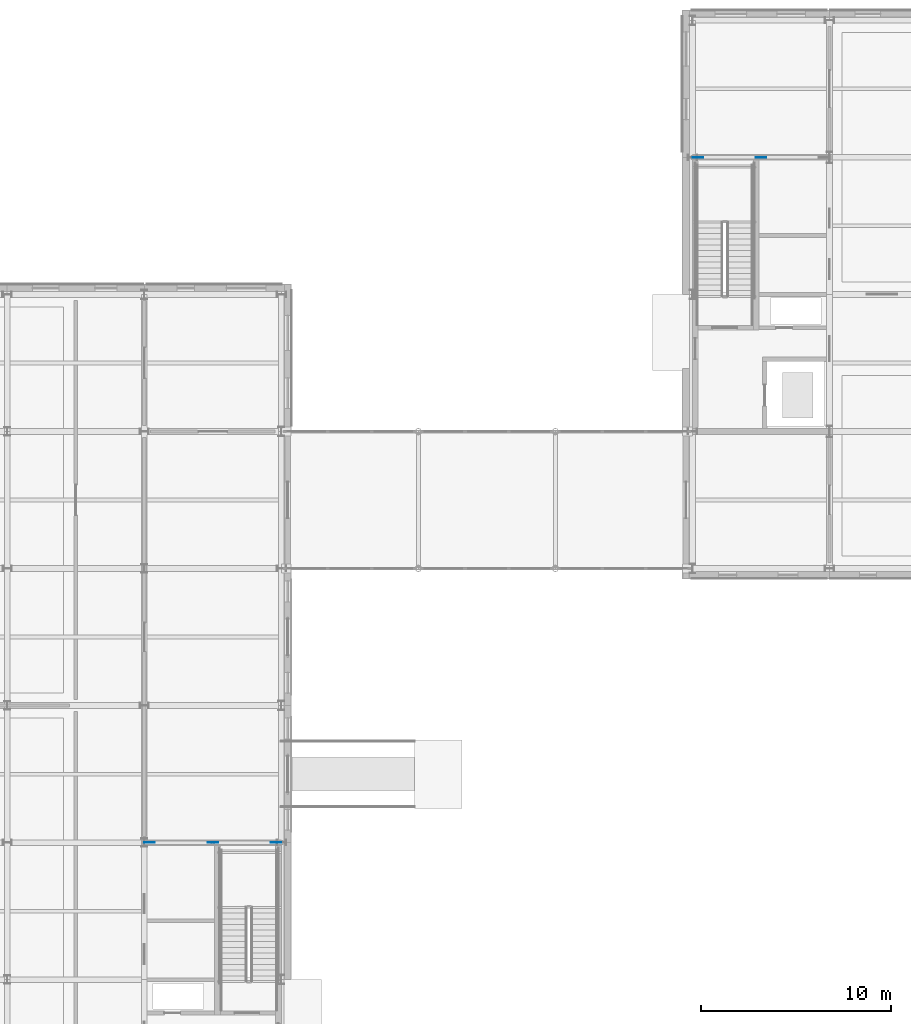
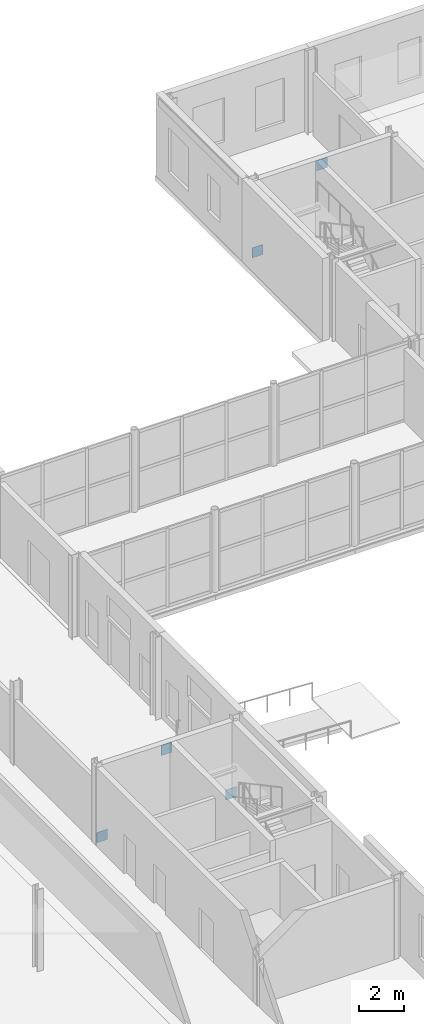
# One storey, part 50 of 92: 5 plates.
"""IFC4 building model written with IfcOpenShell, lengths in metres."""

from ifc_helpers import new_model, si_unit, direction, frame, origin, origin_2d, place, context, subcontext, project, spatial, rectangle, extrude, material, layer, layer_set, type_object, element, save


model = new_model("IFC4")

# Units and contexts
model_context = context("Model", 3, precision=1e-05, world=origin(), true_north=direction((0.0, 1.0)))
body_context = subcontext(model_context, "Body", "Model", "MODEL_VIEW")
ifc_project = project(units=[si_unit("LENGTHUNIT", "METRE"), si_unit("AREAUNIT", "SQUARE_METRE"), si_unit("VOLUMEUNIT", "CUBIC_METRE"), si_unit("PLANEANGLEUNIT", "RADIAN"), si_unit("MASSUNIT", "GRAM", prefix="KILO")], contexts=[model_context])

# Site, building, storey
site_placement = place(None, origin())
site = spatial("IfcSite", under=ifc_project, at=site_placement, CompositionType="ELEMENT")
building_placement = place(site_placement, origin())
building = spatial("IfcBuilding", under=site, at=building_placement, Name="Zlatovets Crest Museum", CompositionType="ELEMENT")
storey_placement = place(building_placement, origin())
storey = spatial("IfcBuildingStorey", under=building, at=storey_placement, Name="L00", CompositionType="ELEMENT", Elevation=0.0)

# Plates
ifc_material = material(Name="Structural steel S355J2", Category="steel")
ifc_layer = layer(ifc_material, 0.02490234375)
ifc_layer_set = layer_set([ifc_layer], Name="Structural steel S355J2")
plate_type = type_object("IfcPlateType", Name="Gusset_GP-01", PredefinedType="USERDEFINED", material=ifc_layer_set)
for number, where, z_axis, x_axis, name in (
    (1, (57.8798828125, 108.0, 0.0048828125), (0.0, 0.0, 1.0), (1.0, 0.0, 0.0), "V1 L00 Brace End Gusset Plate GP-01"),
    (2, (61.199951171875, 108.0, 3.59521484375), (0.0, 0.0, 1.0), (1.0, 0.0, 0.0), "V1 L00 Brace End Gusset Plate GP-01"),
    (3, (29.080078125, 72.0, 0.0048828125), (0.0, 0.0, 1.0), (1.0, 0.0, 0.0), "V4 L00 Brace End Gusset Plate GP-01"),
    (4, (35.719970703125, 72.0, 0.0048828125), (0.0, 0.0, 1.0), (1.0, 0.0, 0.0), "V4 L00 Brace End Gusset Plate GP-01"),
    (5, (32.39990234375, 72.0, 3.59521484375), (0.0, 0.0, 1.0), (1.0, 0.0, 0.0), "V4 L00 Brace End Gusset Plate GP-01"),
):
    element("IfcPlate", number, at=place(storey_placement, frame(where, z_axis=z_axis, x_axis=x_axis)), inside=storey, type_object=plate_type, Name=name, ObjectType="GUSSET", PredefinedType="USERDEFINED", context=body_context, shape_type="SweptSolid", body=[
        extrude(rectangle(XDim=0.550048828125, YDim=0.02490234375, at=origin_2d()), origin(), (0.0, 0.0, 1.0), 0.550048828125),
    ])

save(model, "model.ifc")
